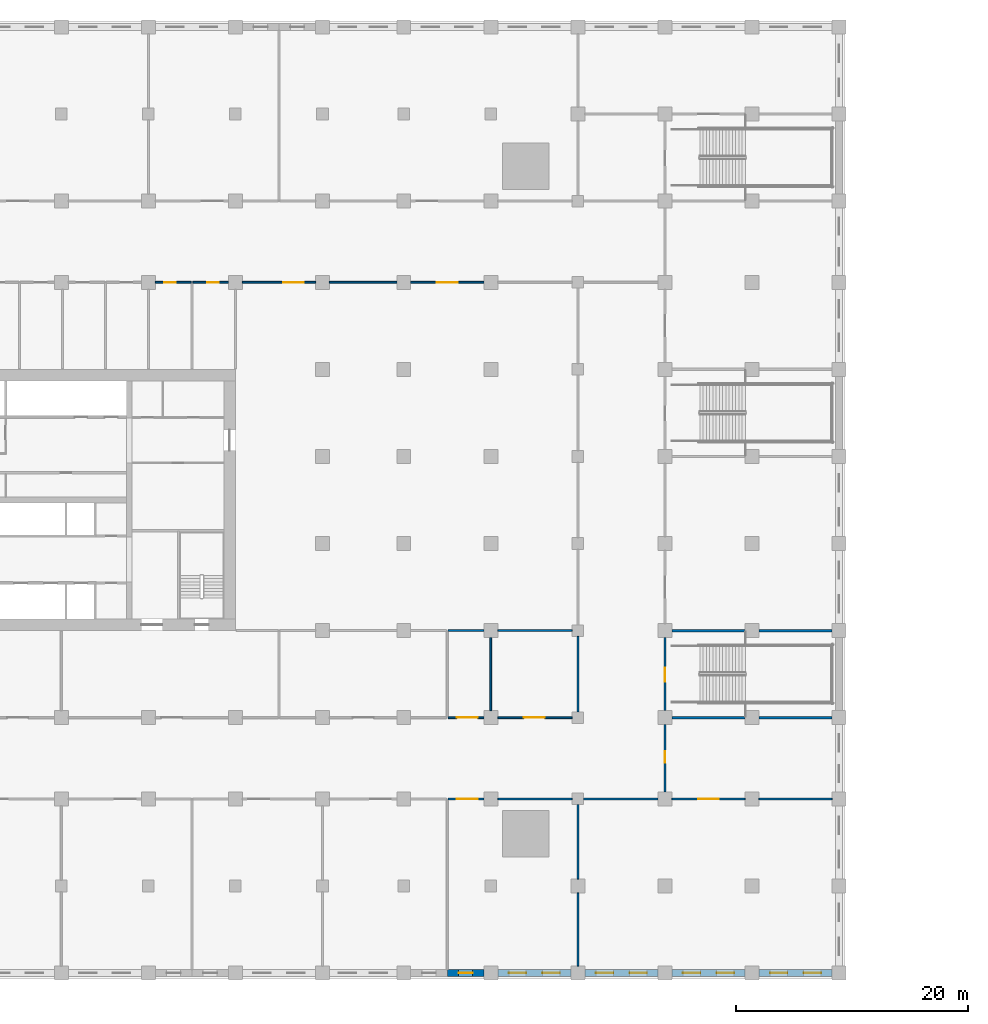
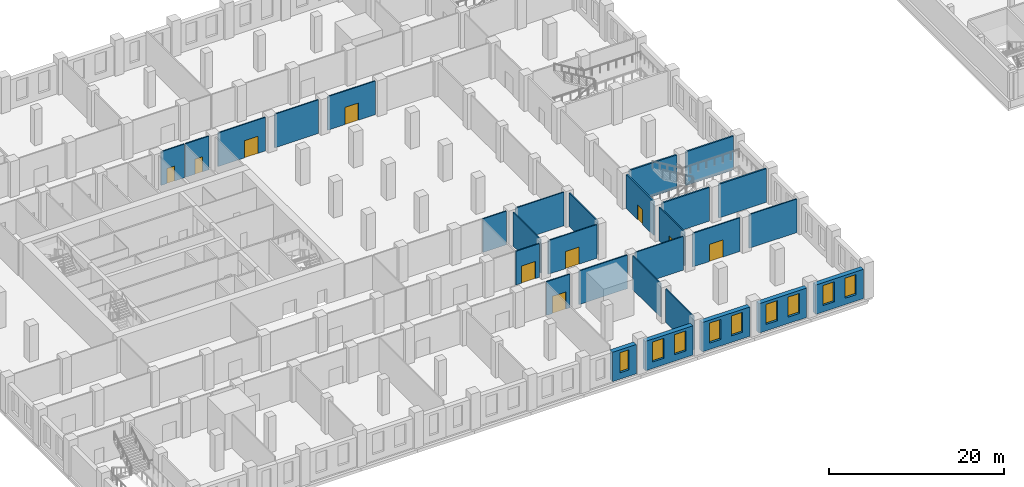
# One storey, part 7 of 32: 29 walls, 10 doors, 9 windows, 19 openings.
"""IFC4 building model written with IfcOpenShell, lengths in metres."""

from ifc_helpers import new_model, si_unit, direction, frame, frame_2d, origin, place, context, subcontext, project, spatial, rectangle, extrude, material, layer, layer_set, type_object, element, fill, save


model = new_model("IFC4")

# Units and contexts
model_context = context("Model", 3, precision=1e-05, world=origin(), true_north=direction((0.0, 1.0)))
body_context = subcontext(model_context, "Body", "Model", "MODEL_VIEW")
ifc_project = project(units=[si_unit("LENGTHUNIT", "METRE"), si_unit("AREAUNIT", "SQUARE_METRE"), si_unit("VOLUMEUNIT", "CUBIC_METRE"), si_unit("PLANEANGLEUNIT", "RADIAN"), si_unit("MASSUNIT", "GRAM", prefix="KILO")], contexts=[model_context])

# Site, building, storey
site_placement = place(None, origin())
site = spatial("IfcSite", under=ifc_project, at=site_placement, CompositionType="ELEMENT")
building_placement = place(site_placement, origin())
building = spatial("IfcBuilding", under=site, at=building_placement, Name="Tamorin Gate", CompositionType="ELEMENT")
storey_placement = place(building_placement, frame((0.0, 0.0, 13.5)))
storey = spatial("IfcBuildingStorey", under=building, at=storey_placement, Name="L02", CompositionType="ELEMENT", Elevation=13.5)

# Wall, opening, door
ifc_material_1 = material(Name="Concrete masonry C20/25", Category="masonry")
ifc_layer_1 = layer(ifc_material_1, 0.14990234375)
ifc_layer_set_1 = layer_set([ifc_layer_1], Name="Partition 150")
wall_type_1 = type_object("IfcWallType", Name="Partition 150", PredefinedType="PARTITIONING", material=ifc_layer_set_1)
wall_1_placement = place(storey_placement, frame((78.324951171875, 45.5, 0.0), z_axis=(0.0, 0.0, 1.0), x_axis=(1.0, 0.0, 0.0)))
wall_1 = element("IfcWall", 1, at=wall_1_placement, inside=storey, type_object=wall_type_1, Name="Partition 150 L02", PredefinedType="PARTITIONING", context=body_context, shape_type="SweptSolid", body=[
    extrude(rectangle(XDim=3.074951171875, YDim=0.14990234375, at=frame_2d((1.53759765625, 0.0))), origin(), (0.0, 0.0, 1.0), 4.699951171875),
])
opening_1_placement = place(wall_1_placement, frame((0.75, 0.0, 0.0)))
opening_1 = element("IfcOpeningElement", 2, at=opening_1_placement, cuts=wall_1, Name="Opening DP3", PredefinedType="OPENING", context=body_context, shape_type="SweptSolid", body=[
    extrude(rectangle(XDim=1.800048828125, YDim=2.39990234375, at=frame_2d((0.89990234375, 1.199951171875))), frame((0.0, 0.0849609375, 0.0), z_axis=(0.0, -1.0, 0.0), x_axis=(1.0, 0.0, 0.0)), (0.0, 0.0, 1.0), 0.169921875),
])
ifc_material_2 = material(Name="Steel and glass", Category="steel")
door_type_1 = type_object("IfcDoorType", Name="Door pair 1800", OperationType="DOUBLE_DOOR_SINGLE_SWING", PredefinedType="DOOR", material=ifc_material_2)
door_1_placement = place(opening_1_placement, origin())
door_1 = element("IfcDoor", 3, at=door_1_placement, inside=storey, type_object=door_type_1, Name="Door pair 1800 L02", OperationType="SINGLE_SWING_LEFT", OverallHeight=2.39990234375, OverallWidth=1.800048828125, PredefinedType="DOOR", context=body_context, shape_type="SweptSolid", body=[
    extrude(rectangle(XDim=1.800048828125, YDim=2.39990234375, at=frame_2d((0.89990234375, 1.199951171875))), frame((0.0, 0.02490234375, 0.0), z_axis=(0.0, -1.0, 0.0), x_axis=(1.0, 0.0, 0.0)), (0.0, 0.0, 1.0), 0.050048828125),
])
fill(opening_1, door_1)

# Walls
for number, where, z_axis, x_axis, name in (
    (4, (82.60009765625, 45.5, 0.0), (0.0, 0.0, 1.0), (1.0, 0.0, 0.0), "Partition 150 L02"),
    (5, (90.0, 45.5, 0.0), (0.0, 0.0, 1.0), (1.0, 0.0, 0.0), "Partition 150 L02"),
):
    element("IfcWall", number, at=place(storey_placement, frame(where, z_axis=z_axis, x_axis=x_axis)), inside=storey, type_object=wall_type_1, Name=name, PredefinedType="PARTITIONING", context=body_context, shape_type="SweptSolid", body=[
        extrude(rectangle(XDim=6.39990234375, YDim=0.14990234375, at=frame_2d((3.199951171875, 0.0))), origin(), (0.0, 0.0, 1.0), 4.699951171875),
    ])

# Wall, opening, door
wall_2_placement = place(storey_placement, frame((97.60009765625, 45.5, 0.0), z_axis=(0.0, 0.0, 1.0), x_axis=(1.0, 0.0, 0.0)))
wall_2 = element("IfcWall", 6, at=wall_2_placement, inside=storey, type_object=wall_type_1, Name="Partition 150 L02", PredefinedType="PARTITIONING", context=body_context, shape_type="SweptSolid", body=[
    extrude(rectangle(XDim=6.2998046875, YDim=0.14990234375, at=frame_2d((3.14990234375, 0.0))), origin(), (0.0, 0.0, 1.0), 4.699951171875),
])
opening_2_placement = place(wall_2_placement, frame((2.25, 0.0, 0.0)))
opening_2 = element("IfcOpeningElement", 7, at=opening_2_placement, cuts=wall_2, Name="Opening DP3", PredefinedType="OPENING", context=body_context, shape_type="SweptSolid", body=[
    extrude(rectangle(XDim=1.800048828125, YDim=2.39990234375, at=frame_2d((0.89990234375, 1.199951171875))), frame((0.0, 0.0849609375, 0.0), z_axis=(0.0, -1.0, 0.0), x_axis=(1.0, 0.0, 0.0)), (0.0, 0.0, 1.0), 0.169921875),
])
door_2_placement = place(opening_2_placement, origin())
door_2 = element("IfcDoor", 8, at=door_2_placement, inside=storey, type_object=door_type_1, Name="Door pair 1800 L02", OperationType="SINGLE_SWING_LEFT", OverallHeight=2.39990234375, OverallWidth=1.800048828125, PredefinedType="DOOR", context=body_context, shape_type="SweptSolid", body=[
    extrude(rectangle(XDim=1.800048828125, YDim=2.39990234375, at=frame_2d((0.89990234375, 1.199951171875))), frame((0.0, 0.02490234375, 0.0), z_axis=(0.0, -1.0, 0.0), x_axis=(1.0, 0.0, 0.0)), (0.0, 0.0, 1.0), 0.050048828125),
])
fill(opening_2, door_2)

# Wall
wall_3_placement = place(storey_placement, frame((105.10009765625, 45.5, 0.0), z_axis=(0.0, 0.0, 1.0), x_axis=(1.0, 0.0, 0.0)))
element("IfcWall", 9, at=wall_3_placement, inside=storey, type_object=wall_type_1, Name="Partition 150 L02", PredefinedType="PARTITIONING", context=body_context, shape_type="SweptSolid", body=[
    extrude(rectangle(XDim=6.2998046875, YDim=0.14990234375, at=frame_2d((3.14990234375, 0.0))), origin(), (0.0, 0.0, 1.0), 4.699951171875),
])

# Wall, opening, door
wall_4_placement = place(storey_placement, frame((81.39990234375, 52.5, 0.0), z_axis=(0.0, 0.0, 1.0), x_axis=(-1.0, 0.0, 0.0)))
wall_4 = element("IfcWall", 10, at=wall_4_placement, inside=storey, type_object=wall_type_1, Name="Partition 150 L02", PredefinedType="PARTITIONING", context=body_context, shape_type="SweptSolid", body=[
    extrude(rectangle(XDim=3.074951171875, YDim=0.14990234375, at=frame_2d((1.53759765625, 0.0))), origin(), (0.0, 0.0, 1.0), 4.699951171875),
])
opening_3_placement = place(wall_4_placement, frame((0.52490234375, 0.0, 0.0)))
opening_3 = element("IfcOpeningElement", 11, at=opening_3_placement, cuts=wall_4, Name="Opening DP3", PredefinedType="OPENING", context=body_context, shape_type="SweptSolid", body=[
    extrude(rectangle(XDim=1.800048828125, YDim=2.39990234375, at=frame_2d((0.89990234375, 1.199951171875))), frame((0.0, 0.0849609375, 0.0), z_axis=(0.0, -1.0, 0.0), x_axis=(1.0, 0.0, 0.0)), (0.0, 0.0, 1.0), 0.169921875),
])
door_3_placement = place(opening_3_placement, origin())
door_3 = element("IfcDoor", 12, at=door_3_placement, inside=storey, type_object=door_type_1, Name="Door pair 1800 L02", OperationType="SINGLE_SWING_LEFT", OverallHeight=2.39990234375, OverallWidth=1.800048828125, PredefinedType="DOOR", context=body_context, shape_type="SweptSolid", body=[
    extrude(rectangle(XDim=1.800048828125, YDim=2.39990234375, at=frame_2d((0.89990234375, 1.199951171875))), frame((0.0, 0.02490234375, 0.0), z_axis=(0.0, -1.0, 0.0), x_axis=(1.0, 0.0, 0.0)), (0.0, 0.0, 1.0), 0.050048828125),
])
fill(opening_3, door_3)

wall_5_placement = place(storey_placement, frame((89.0, 52.5, 0.0), z_axis=(0.0, 0.0, 1.0), x_axis=(-1.0, 0.0, 0.0)))
wall_5 = element("IfcWall", 13, at=wall_5_placement, inside=storey, type_object=wall_type_1, Name="Partition 150 L02", PredefinedType="PARTITIONING", context=body_context, shape_type="SweptSolid", body=[
    extrude(rectangle(XDim=6.39990234375, YDim=0.14990234375, at=frame_2d((3.199951171875, 0.0))), origin(), (0.0, 0.0, 1.0), 4.699951171875),
])
opening_4_placement = place(wall_5_placement, frame((2.35009765625, 0.0, 0.0)))
opening_4 = element("IfcOpeningElement", 14, at=opening_4_placement, cuts=wall_5, Name="Opening DP3", PredefinedType="OPENING", context=body_context, shape_type="SweptSolid", body=[
    extrude(rectangle(XDim=1.800048828125, YDim=2.39990234375, at=frame_2d((0.89990234375, 1.199951171875))), frame((0.0, 0.0849609375, 0.0), z_axis=(0.0, -1.0, 0.0), x_axis=(1.0, 0.0, 0.0)), (0.0, 0.0, 1.0), 0.169921875),
])
door_4_placement = place(opening_4_placement, origin())
door_4 = element("IfcDoor", 15, at=door_4_placement, inside=storey, type_object=door_type_1, Name="Door pair 1800 L02", OperationType="SINGLE_SWING_LEFT", OverallHeight=2.39990234375, OverallWidth=1.800048828125, PredefinedType="DOOR", context=body_context, shape_type="SweptSolid", body=[
    extrude(rectangle(XDim=1.800048828125, YDim=2.39990234375, at=frame_2d((0.89990234375, 1.199951171875))), frame((0.0, 0.02490234375, 0.0), z_axis=(0.0, -1.0, 0.0), x_axis=(1.0, 0.0, 0.0)), (0.0, 0.0, 1.0), 0.050048828125),
])
fill(opening_4, door_4)

# Walls
wall_6_placement = place(storey_placement, frame((78.324951171875, 60.0, 0.0), z_axis=(0.0, 0.0, 1.0), x_axis=(1.0, 0.0, 0.0)))
element("IfcWall", 16, at=wall_6_placement, inside=storey, type_object=wall_type_1, Name="Partition 150 L02", PredefinedType="PARTITIONING", context=body_context, shape_type="SweptSolid", body=[
    extrude(rectangle(XDim=3.074951171875, YDim=0.14990234375, at=frame_2d((1.53759765625, 0.0))), origin(), (0.0, 0.0, 1.0), 4.699951171875),
])
wall_7_placement = place(storey_placement, frame((82.60009765625, 60.0, 0.0), z_axis=(0.0, 0.0, 1.0), x_axis=(1.0, 0.0, 0.0)))
element("IfcWall", 17, at=wall_7_placement, inside=storey, type_object=wall_type_1, Name="Partition 150 L02", PredefinedType="PARTITIONING", context=body_context, shape_type="SweptSolid", body=[
    extrude(rectangle(XDim=6.39990234375, YDim=0.14990234375, at=frame_2d((3.199951171875, 0.0))), origin(), (0.0, 0.0, 1.0), 4.699951171875),
])

# Wall, opening, door
wall_8_placement = place(storey_placement, frame((53.10009765625, 90.0, 0.0), z_axis=(0.0, 0.0, 1.0), x_axis=(1.0, 0.0, 0.0)))
wall_8 = element("IfcWall", 18, at=wall_8_placement, inside=storey, type_object=wall_type_1, Name="Partition 150 L02", PredefinedType="PARTITIONING", context=body_context, shape_type="SweptSolid", body=[
    extrude(rectangle(XDim=3.074951171875, YDim=0.14990234375, at=frame_2d((1.53759765625, 0.0))), origin(), (0.0, 0.0, 1.0), 4.699951171875),
])
opening_5_placement = place(wall_8_placement, frame((0.75, 0.0, 0.0)))
opening_5 = element("IfcOpeningElement", 19, at=opening_5_placement, cuts=wall_8, Name="Opening DP2", PredefinedType="OPENING", context=body_context, shape_type="SweptSolid", body=[
    extrude(rectangle(XDim=1.0, YDim=2.10009765625, at=frame_2d((0.5, 1.050048828125))), frame((0.0, 0.0849609375, 0.0), z_axis=(0.0, -1.0, 0.0), x_axis=(1.0, 0.0, 0.0)), (0.0, 0.0, 1.0), 0.169921875),
])
ifc_material_3 = material(Name="Painted steel", Category="steel")
door_type_2 = type_object("IfcDoorType", Name="Door single 1000", OperationType="SINGLE_SWING_LEFT", PredefinedType="DOOR", material=ifc_material_3)
door_5_placement = place(opening_5_placement, origin())
door_5 = element("IfcDoor", 20, at=door_5_placement, inside=storey, type_object=door_type_2, Name="Door single 1000 L02", OperationType="SINGLE_SWING_LEFT", OverallHeight=2.10009765625, OverallWidth=1.0, PredefinedType="DOOR", context=body_context, shape_type="SweptSolid", body=[
    extrude(rectangle(XDim=1.0, YDim=2.10009765625, at=frame_2d((0.5, 1.050048828125))), frame((0.0, 0.02490234375, 0.0), z_axis=(0.0, -1.0, 0.0), x_axis=(1.0, 0.0, 0.0)), (0.0, 0.0, 1.0), 0.050048828125),
])
fill(opening_5, door_5)

wall_9_placement = place(storey_placement, frame((56.324951171875, 90.0, 0.0), z_axis=(0.0, 0.0, 1.0), x_axis=(1.0, 0.0, 0.0)))
wall_9 = element("IfcWall", 21, at=wall_9_placement, inside=storey, type_object=wall_type_1, Name="Partition 150 L02", PredefinedType="PARTITIONING", context=body_context, shape_type="SweptSolid", body=[
    extrude(rectangle(XDim=3.074951171875, YDim=0.14990234375, at=frame_2d((1.53759765625, 0.0))), origin(), (0.0, 0.0, 1.0), 4.699951171875),
])
opening_6_placement = place(wall_9_placement, frame((1.25, 0.0, 0.0)))
opening_6 = element("IfcOpeningElement", 22, at=opening_6_placement, cuts=wall_9, Name="Opening DP2", PredefinedType="OPENING", context=body_context, shape_type="SweptSolid", body=[
    extrude(rectangle(XDim=1.0, YDim=2.10009765625, at=frame_2d((0.5, 1.050048828125))), frame((0.0, 0.0849609375, 0.0), z_axis=(0.0, -1.0, 0.0), x_axis=(1.0, 0.0, 0.0)), (0.0, 0.0, 1.0), 0.169921875),
])
door_6_placement = place(opening_6_placement, origin())
door_6 = element("IfcDoor", 23, at=door_6_placement, inside=storey, type_object=door_type_2, Name="Door single 1000 L02", OperationType="SINGLE_SWING_LEFT", OverallHeight=2.10009765625, OverallWidth=1.0, PredefinedType="DOOR", context=body_context, shape_type="SweptSolid", body=[
    extrude(rectangle(XDim=1.0, YDim=2.10009765625, at=frame_2d((0.5, 1.050048828125))), frame((0.0, 0.02490234375, 0.0), z_axis=(0.0, -1.0, 0.0), x_axis=(1.0, 0.0, 0.0)), (0.0, 0.0, 1.0), 0.050048828125),
])
fill(opening_6, door_6)

wall_10_placement = place(storey_placement, frame((60.60009765625, 90.0, 0.0), z_axis=(0.0, 0.0, 1.0), x_axis=(1.0, 0.0, 0.0)))
wall_10 = element("IfcWall", 24, at=wall_10_placement, inside=storey, type_object=wall_type_1, Name="Partition 150 L02", PredefinedType="PARTITIONING", context=body_context, shape_type="SweptSolid", body=[
    extrude(rectangle(XDim=6.2998046875, YDim=0.14990234375, at=frame_2d((3.14990234375, 0.0))), origin(), (0.0, 0.0, 1.0), 4.699951171875),
])
opening_7_placement = place(wall_10_placement, frame((3.5, 0.0, 0.0)))
opening_7 = element("IfcOpeningElement", 25, at=opening_7_placement, cuts=wall_10, Name="Opening DP3", PredefinedType="OPENING", context=body_context, shape_type="SweptSolid", body=[
    extrude(rectangle(XDim=1.800048828125, YDim=2.39990234375, at=frame_2d((0.89990234375, 1.199951171875))), frame((0.0, 0.0849609375, 0.0), z_axis=(0.0, -1.0, 0.0), x_axis=(1.0, 0.0, 0.0)), (0.0, 0.0, 1.0), 0.169921875),
])
door_7_placement = place(opening_7_placement, origin())
door_7 = element("IfcDoor", 26, at=door_7_placement, inside=storey, type_object=door_type_1, Name="Door pair 1800 L02", OperationType="SINGLE_SWING_LEFT", OverallHeight=2.39990234375, OverallWidth=1.800048828125, PredefinedType="DOOR", context=body_context, shape_type="SweptSolid", body=[
    extrude(rectangle(XDim=1.800048828125, YDim=2.39990234375, at=frame_2d((0.89990234375, 1.199951171875))), frame((0.0, 0.02490234375, 0.0), z_axis=(0.0, -1.0, 0.0), x_axis=(1.0, 0.0, 0.0)), (0.0, 0.0, 1.0), 0.050048828125),
])
fill(opening_7, door_7)

# Wall
wall_11_placement = place(storey_placement, frame((68.10009765625, 90.0, 0.0), z_axis=(0.0, 0.0, 1.0), x_axis=(1.0, 0.0, 0.0)))
element("IfcWall", 27, at=wall_11_placement, inside=storey, type_object=wall_type_1, Name="Partition 150 L02", PredefinedType="PARTITIONING", context=body_context, shape_type="SweptSolid", body=[
    extrude(rectangle(XDim=5.7998046875, YDim=0.14990234375, at=frame_2d((2.89990234375, 0.0))), origin(), (0.0, 0.0, 1.0), 4.699951171875),
])

# Wall, opening, door
wall_12_placement = place(storey_placement, frame((75.10009765625, 90.0, 0.0), z_axis=(0.0, 0.0, 1.0), x_axis=(1.0, 0.0, 0.0)))
wall_12 = element("IfcWall", 28, at=wall_12_placement, inside=storey, type_object=wall_type_1, Name="Partition 150 L02", PredefinedType="PARTITIONING", context=body_context, shape_type="SweptSolid", body=[
    extrude(rectangle(XDim=6.2998046875, YDim=0.14990234375, at=frame_2d((3.14990234375, 0.0))), origin(), (0.0, 0.0, 1.0), 4.699951171875),
])
opening_8_placement = place(wall_12_placement, frame((2.25, 0.0, 0.0)))
opening_8 = element("IfcOpeningElement", 29, at=opening_8_placement, cuts=wall_12, Name="Opening DP3", PredefinedType="OPENING", context=body_context, shape_type="SweptSolid", body=[
    extrude(rectangle(XDim=1.800048828125, YDim=2.39990234375, at=frame_2d((0.89990234375, 1.199951171875))), frame((0.0, 0.0849609375, 0.0), z_axis=(0.0, -1.0, 0.0), x_axis=(1.0, 0.0, 0.0)), (0.0, 0.0, 1.0), 0.169921875),
])
door_8_placement = place(opening_8_placement, origin())
door_8 = element("IfcDoor", 30, at=door_8_placement, inside=storey, type_object=door_type_1, Name="Door pair 1800 L02", OperationType="SINGLE_SWING_LEFT", OverallHeight=2.39990234375, OverallWidth=1.800048828125, PredefinedType="DOOR", context=body_context, shape_type="SweptSolid", body=[
    extrude(rectangle(XDim=1.800048828125, YDim=2.39990234375, at=frame_2d((0.89990234375, 1.199951171875))), frame((0.0, 0.02490234375, 0.0), z_axis=(0.0, -1.0, 0.0), x_axis=(1.0, 0.0, 0.0)), (0.0, 0.0, 1.0), 0.050048828125),
])
fill(opening_8, door_8)

wall_13_placement = place(storey_placement, frame((97.0, 46.10009765625, 0.0), z_axis=(0.0, 0.0, 1.0), x_axis=(0.0, 1.0, 0.0)))
wall_13 = element("IfcWall", 31, at=wall_13_placement, inside=storey, type_object=wall_type_1, Name="Partition 150 L02", PredefinedType="PARTITIONING", context=body_context, shape_type="SweptSolid", body=[
    extrude(rectangle(XDim=5.7998046875, YDim=0.14990234375, at=frame_2d((2.89990234375, 0.0))), origin(), (0.0, 0.0, 1.0), 4.699951171875),
])
opening_9_placement = place(wall_13_placement, frame((2.5, 0.0, 0.0)))
opening_9 = element("IfcOpeningElement", 32, at=opening_9_placement, cuts=wall_13, Name="Opening DP2", PredefinedType="OPENING", context=body_context, shape_type="SweptSolid", body=[
    extrude(rectangle(XDim=1.0, YDim=2.10009765625, at=frame_2d((0.5, 1.050048828125))), frame((0.0, 0.0849609375, 0.0), z_axis=(0.0, -1.0, 0.0), x_axis=(1.0, 0.0, 0.0)), (0.0, 0.0, 1.0), 0.169921875),
])
door_9_placement = place(opening_9_placement, origin())
door_9 = element("IfcDoor", 33, at=door_9_placement, inside=storey, type_object=door_type_2, Name="Door single 1000 L02", OperationType="SINGLE_SWING_LEFT", OverallHeight=2.10009765625, OverallWidth=1.0, PredefinedType="DOOR", context=body_context, shape_type="SweptSolid", body=[
    extrude(rectangle(XDim=1.0, YDim=2.10009765625, at=frame_2d((0.5, 1.050048828125))), frame((0.0, 0.02490234375, 0.0), z_axis=(0.0, -1.0, 0.0), x_axis=(1.0, 0.0, 0.0)), (0.0, 0.0, 1.0), 0.050048828125),
])
fill(opening_9, door_9)

# Walls
wall_14_placement = place(storey_placement, frame((89.5, 31.10009765625, 0.0), z_axis=(0.0, 0.0, 1.0), x_axis=(0.0, 1.0, 0.0)))
element("IfcWall", 34, at=wall_14_placement, inside=storey, type_object=wall_type_1, Name="Partition 150 L02", PredefinedType="PARTITIONING", context=body_context, shape_type="SweptSolid", body=[
    extrude(rectangle(XDim=6.2998046875, YDim=0.14990234375, at=frame_2d((3.14990234375, 0.0))), origin(), (0.0, 0.0, 1.0), 4.699951171875),
])
wall_15_placement = place(storey_placement, frame((89.5, 38.60009765625, 0.0), z_axis=(0.0, 0.0, 1.0), x_axis=(0.0, 1.0, 0.0)))
element("IfcWall", 35, at=wall_15_placement, inside=storey, type_object=wall_type_1, Name="Partition 150 L02", PredefinedType="PARTITIONING", context=body_context, shape_type="SweptSolid", body=[
    extrude(rectangle(XDim=6.39990234375, YDim=0.14990234375, at=frame_2d((3.199951171875, 0.0))), origin(), (0.0, 0.0, 1.0), 4.699951171875),
])
wall_16_placement = place(storey_placement, frame((89.5, 53.0, 0.0), z_axis=(0.0, 0.0, 1.0), x_axis=(0.0, 1.0, 0.0)))
element("IfcWall", 36, at=wall_16_placement, inside=storey, type_object=wall_type_1, Name="Partition 150 L02", PredefinedType="PARTITIONING", context=body_context, shape_type="SweptSolid", body=[
    extrude(rectangle(XDim=6.5, YDim=0.14990234375, at=frame_2d((3.25, 0.0))), origin(), (0.0, 0.0, 1.0), 4.699951171875),
])
wall_17_placement = place(storey_placement, frame((82.0, 53.10009765625, 0.0), z_axis=(0.0, 0.0, 1.0), x_axis=(0.0, 1.0, 0.0)))
element("IfcWall", 37, at=wall_17_placement, inside=storey, type_object=wall_type_1, Name="Partition 150 L02", PredefinedType="PARTITIONING", context=body_context, shape_type="SweptSolid", body=[
    extrude(rectangle(XDim=6.2998046875, YDim=0.14990234375, at=frame_2d((3.14990234375, 0.0))), origin(), (0.0, 0.0, 1.0), 4.699951171875),
])

# Wall, opening, window
ifc_material_4 = material(Name="Precast concrete C40/50", Category="concrete")
ifc_layer_2 = layer(ifc_material_4, 0.60009765625)
ifc_layer_set_2 = layer_set([ifc_layer_2], Name="Precast concrete C40/50")
wall_type_2 = type_object("IfcWallType", Name="Precast plinth wall 600", PredefinedType="PARTITIONING", material=ifc_layer_set_2)
wall_18_placement = place(storey_placement, frame((78.25, 30.5, 0.0), z_axis=(0.0, 0.0, 1.0), x_axis=(1.0, 0.0, 0.0)))
wall_18 = element("IfcWall", 38, at=wall_18_placement, inside=storey, type_object=wall_type_2, Name="Precast plinth wall 600 L02", PredefinedType="PARTITIONING", context=body_context, shape_type="SweptSolid", body=[
    extrude(rectangle(XDim=3.14990234375, YDim=0.60009765625, at=frame_2d((1.574951171875, 0.0))), origin(), (0.0, 0.0, 1.0), 4.10009765625),
])
opening_10_placement = place(wall_18_placement, frame((0.97509765625, 0.0, 0.89990234375)))
opening_10 = element("IfcOpeningElement", 39, at=opening_10_placement, cuts=wall_18, Name="Opening PWN4", PredefinedType="OPENING", context=body_context, shape_type="SweptSolid", body=[
    extrude(rectangle(XDim=1.199951171875, YDim=2.800048828125, at=frame_2d((0.60009765625, 1.39990234375))), frame((0.0, 0.31005859375, 0.0), z_axis=(0.0, -1.0, 0.0), x_axis=(1.0, 0.0, 0.0)), (0.0, 0.0, 1.0), 0.6201171875),
])
ifc_material_5 = material(Name="Aluminium and glass", Category="aluminium")
window_type_1 = type_object("IfcWindowType", Name="Plinth window 1200x2800", PartitioningType="DOUBLE_PANEL_VERTICAL", PredefinedType="WINDOW", material=ifc_material_5)
window_1_placement = place(opening_10_placement, origin())
window_1 = element("IfcWindow", 40, at=window_1_placement, inside=storey, type_object=window_type_1, Name="Plinth window 1200x2800", OverallHeight=2.800048828125, OverallWidth=1.199951171875, PartitioningType="SINGLE_PANEL", PredefinedType="WINDOW", context=body_context, shape_type="SweptSolid", body=[
    extrude(rectangle(XDim=1.199951171875, YDim=2.800048828125, at=frame_2d((0.60009765625, 1.39990234375))), frame((0.0, 0.030029296875, 0.0), z_axis=(0.0, -1.0, 0.0), x_axis=(1.0, 0.0, 0.0)), (0.0, 0.0, 1.0), 0.06005859375),
])
fill(opening_10, window_1)

# Wall, openings, windows
wall_19_placement = place(storey_placement, frame((82.60009765625, 30.5, 0.0), z_axis=(0.0, 0.0, 1.0), x_axis=(1.0, 0.0, 0.0)))
wall_19 = element("IfcWall", 41, at=wall_19_placement, inside=storey, type_object=wall_type_2, Name="Precast plinth wall 600 L02", PredefinedType="PARTITIONING", context=body_context, shape_type="SweptSolid", body=[
    extrude(rectangle(XDim=6.2998046875, YDim=0.60009765625, at=frame_2d((3.14990234375, 0.0))), origin(), (0.0, 0.0, 1.0), 4.10009765625),
])
opening_11_placement = place(wall_19_placement, frame((0.950927734375, 0.0, 0.89990234375)))
opening_11 = element("IfcOpeningElement", 42, at=opening_11_placement, cuts=wall_19, Name="Opening PWN5", PredefinedType="OPENING", context=body_context, shape_type="SweptSolid", body=[
    extrude(rectangle(XDim=1.5, YDim=2.800048828125, at=frame_2d((0.75, 1.39990234375))), frame((0.0, 0.31005859375, 0.0), z_axis=(0.0, -1.0, 0.0), x_axis=(1.0, 0.0, 0.0)), (0.0, 0.0, 1.0), 0.6201171875),
])
opening_12_placement = place(wall_19_placement, frame((3.84912109375, 0.0, 0.89990234375)))
opening_12 = element("IfcOpeningElement", 43, at=opening_12_placement, cuts=wall_19, Name="Opening PWN5", PredefinedType="OPENING", context=body_context, shape_type="SweptSolid", body=[
    extrude(rectangle(XDim=1.5, YDim=2.800048828125, at=frame_2d((0.75, 1.39990234375))), frame((0.0, 0.31005859375, 0.0), z_axis=(0.0, -1.0, 0.0), x_axis=(1.0, 0.0, 0.0)), (0.0, 0.0, 1.0), 0.6201171875),
])
window_type_2 = type_object("IfcWindowType", Name="Plinth window 1500x2800", PartitioningType="DOUBLE_PANEL_VERTICAL", PredefinedType="WINDOW", material=ifc_material_5)
window_2_placement = place(opening_11_placement, origin())
window_2 = element("IfcWindow", 44, at=window_2_placement, inside=storey, type_object=window_type_2, Name="Plinth window 1500x2800", OverallHeight=2.800048828125, OverallWidth=1.5, PartitioningType="SINGLE_PANEL", PredefinedType="WINDOW", context=body_context, shape_type="SweptSolid", body=[
    extrude(rectangle(XDim=1.5, YDim=2.800048828125, at=frame_2d((0.75, 1.39990234375))), frame((0.0, 0.030029296875, 0.0), z_axis=(0.0, -1.0, 0.0), x_axis=(1.0, 0.0, 0.0)), (0.0, 0.0, 1.0), 0.06005859375),
])
fill(opening_11, window_2)
window_3_placement = place(opening_12_placement, origin())
window_3 = element("IfcWindow", 45, at=window_3_placement, inside=storey, type_object=window_type_2, Name="Plinth window 1500x2800", OverallHeight=2.800048828125, OverallWidth=1.5, PartitioningType="SINGLE_PANEL", PredefinedType="WINDOW", context=body_context, shape_type="SweptSolid", body=[
    extrude(rectangle(XDim=1.5, YDim=2.800048828125, at=frame_2d((0.75, 1.39990234375))), frame((0.0, 0.030029296875, 0.0), z_axis=(0.0, -1.0, 0.0), x_axis=(1.0, 0.0, 0.0)), (0.0, 0.0, 1.0), 0.06005859375),
])
fill(opening_12, window_3)

wall_20_placement = place(storey_placement, frame((90.10009765625, 30.5, 0.0), z_axis=(0.0, 0.0, 1.0), x_axis=(1.0, 0.0, 0.0)))
wall_20 = element("IfcWall", 46, at=wall_20_placement, inside=storey, type_object=wall_type_2, Name="Precast plinth wall 600 L02", PredefinedType="PARTITIONING", context=body_context, shape_type="SweptSolid", body=[
    extrude(rectangle(XDim=6.2998046875, YDim=0.60009765625, at=frame_2d((3.14990234375, 0.0))), origin(), (0.0, 0.0, 1.0), 4.10009765625),
])
opening_13_placement = place(wall_20_placement, frame((0.950927734375, 0.0, 0.89990234375)))
opening_13 = element("IfcOpeningElement", 47, at=opening_13_placement, cuts=wall_20, Name="Opening PWN5", PredefinedType="OPENING", context=body_context, shape_type="SweptSolid", body=[
    extrude(rectangle(XDim=1.5, YDim=2.800048828125, at=frame_2d((0.75, 1.39990234375))), frame((0.0, 0.31005859375, 0.0), z_axis=(0.0, -1.0, 0.0), x_axis=(1.0, 0.0, 0.0)), (0.0, 0.0, 1.0), 0.6201171875),
])
opening_14_placement = place(wall_20_placement, frame((3.84912109375, 0.0, 0.89990234375)))
opening_14 = element("IfcOpeningElement", 48, at=opening_14_placement, cuts=wall_20, Name="Opening PWN5", PredefinedType="OPENING", context=body_context, shape_type="SweptSolid", body=[
    extrude(rectangle(XDim=1.5, YDim=2.800048828125, at=frame_2d((0.75, 1.39990234375))), frame((0.0, 0.31005859375, 0.0), z_axis=(0.0, -1.0, 0.0), x_axis=(1.0, 0.0, 0.0)), (0.0, 0.0, 1.0), 0.6201171875),
])
window_4_placement = place(opening_13_placement, origin())
window_4 = element("IfcWindow", 49, at=window_4_placement, inside=storey, type_object=window_type_2, Name="Plinth window 1500x2800", OverallHeight=2.800048828125, OverallWidth=1.5, PartitioningType="SINGLE_PANEL", PredefinedType="WINDOW", context=body_context, shape_type="SweptSolid", body=[
    extrude(rectangle(XDim=1.5, YDim=2.800048828125, at=frame_2d((0.75, 1.39990234375))), frame((0.0, 0.030029296875, 0.0), z_axis=(0.0, -1.0, 0.0), x_axis=(1.0, 0.0, 0.0)), (0.0, 0.0, 1.0), 0.06005859375),
])
fill(opening_13, window_4)
window_5_placement = place(opening_14_placement, origin())
window_5 = element("IfcWindow", 50, at=window_5_placement, inside=storey, type_object=window_type_2, Name="Plinth window 1500x2800", OverallHeight=2.800048828125, OverallWidth=1.5, PartitioningType="SINGLE_PANEL", PredefinedType="WINDOW", context=body_context, shape_type="SweptSolid", body=[
    extrude(rectangle(XDim=1.5, YDim=2.800048828125, at=frame_2d((0.75, 1.39990234375))), frame((0.0, 0.030029296875, 0.0), z_axis=(0.0, -1.0, 0.0), x_axis=(1.0, 0.0, 0.0)), (0.0, 0.0, 1.0), 0.06005859375),
])
fill(opening_14, window_5)

wall_21_placement = place(storey_placement, frame((97.60009765625, 30.5, 0.0), z_axis=(0.0, 0.0, 1.0), x_axis=(1.0, 0.0, 0.0)))
wall_21 = element("IfcWall", 51, at=wall_21_placement, inside=storey, type_object=wall_type_2, Name="Precast plinth wall 600 L02", PredefinedType="PARTITIONING", context=body_context, shape_type="SweptSolid", body=[
    extrude(rectangle(XDim=6.2998046875, YDim=0.60009765625, at=frame_2d((3.14990234375, 0.0))), origin(), (0.0, 0.0, 1.0), 4.10009765625),
])
opening_15_placement = place(wall_21_placement, frame((0.950927734375, 0.0, 0.89990234375)))
opening_15 = element("IfcOpeningElement", 52, at=opening_15_placement, cuts=wall_21, Name="Opening PWN5", PredefinedType="OPENING", context=body_context, shape_type="SweptSolid", body=[
    extrude(rectangle(XDim=1.5, YDim=2.800048828125, at=frame_2d((0.75, 1.39990234375))), frame((0.0, 0.31005859375, 0.0), z_axis=(0.0, -1.0, 0.0), x_axis=(1.0, 0.0, 0.0)), (0.0, 0.0, 1.0), 0.6201171875),
])
opening_16_placement = place(wall_21_placement, frame((3.84912109375, 0.0, 0.89990234375)))
opening_16 = element("IfcOpeningElement", 53, at=opening_16_placement, cuts=wall_21, Name="Opening PWN5", PredefinedType="OPENING", context=body_context, shape_type="SweptSolid", body=[
    extrude(rectangle(XDim=1.5, YDim=2.800048828125, at=frame_2d((0.75, 1.39990234375))), frame((0.0, 0.31005859375, 0.0), z_axis=(0.0, -1.0, 0.0), x_axis=(1.0, 0.0, 0.0)), (0.0, 0.0, 1.0), 0.6201171875),
])
window_6_placement = place(opening_15_placement, origin())
window_6 = element("IfcWindow", 54, at=window_6_placement, inside=storey, type_object=window_type_2, Name="Plinth window 1500x2800", OverallHeight=2.800048828125, OverallWidth=1.5, PartitioningType="SINGLE_PANEL", PredefinedType="WINDOW", context=body_context, shape_type="SweptSolid", body=[
    extrude(rectangle(XDim=1.5, YDim=2.800048828125, at=frame_2d((0.75, 1.39990234375))), frame((0.0, 0.030029296875, 0.0), z_axis=(0.0, -1.0, 0.0), x_axis=(1.0, 0.0, 0.0)), (0.0, 0.0, 1.0), 0.06005859375),
])
fill(opening_15, window_6)
window_7_placement = place(opening_16_placement, origin())
window_7 = element("IfcWindow", 55, at=window_7_placement, inside=storey, type_object=window_type_2, Name="Plinth window 1500x2800", OverallHeight=2.800048828125, OverallWidth=1.5, PartitioningType="SINGLE_PANEL", PredefinedType="WINDOW", context=body_context, shape_type="SweptSolid", body=[
    extrude(rectangle(XDim=1.5, YDim=2.800048828125, at=frame_2d((0.75, 1.39990234375))), frame((0.0, 0.030029296875, 0.0), z_axis=(0.0, -1.0, 0.0), x_axis=(1.0, 0.0, 0.0)), (0.0, 0.0, 1.0), 0.06005859375),
])
fill(opening_16, window_7)

wall_22_placement = place(storey_placement, frame((105.10009765625, 30.5, 0.0), z_axis=(0.0, 0.0, 1.0), x_axis=(1.0, 0.0, 0.0)))
wall_22 = element("IfcWall", 56, at=wall_22_placement, inside=storey, type_object=wall_type_2, Name="Precast plinth wall 600 L02", PredefinedType="PARTITIONING", context=body_context, shape_type="SweptSolid", body=[
    extrude(rectangle(XDim=6.2998046875, YDim=0.60009765625, at=frame_2d((3.14990234375, 0.0))), origin(), (0.0, 0.0, 1.0), 4.10009765625),
])
opening_17_placement = place(wall_22_placement, frame((0.950927734375, 0.0, 0.89990234375)))
opening_17 = element("IfcOpeningElement", 57, at=opening_17_placement, cuts=wall_22, Name="Opening PWN5", PredefinedType="OPENING", context=body_context, shape_type="SweptSolid", body=[
    extrude(rectangle(XDim=1.5, YDim=2.800048828125, at=frame_2d((0.75, 1.39990234375))), frame((0.0, 0.31005859375, 0.0), z_axis=(0.0, -1.0, 0.0), x_axis=(1.0, 0.0, 0.0)), (0.0, 0.0, 1.0), 0.6201171875),
])
opening_18_placement = place(wall_22_placement, frame((3.84912109375, 0.0, 0.89990234375)))
opening_18 = element("IfcOpeningElement", 58, at=opening_18_placement, cuts=wall_22, Name="Opening PWN5", PredefinedType="OPENING", context=body_context, shape_type="SweptSolid", body=[
    extrude(rectangle(XDim=1.5, YDim=2.800048828125, at=frame_2d((0.75, 1.39990234375))), frame((0.0, 0.31005859375, 0.0), z_axis=(0.0, -1.0, 0.0), x_axis=(1.0, 0.0, 0.0)), (0.0, 0.0, 1.0), 0.6201171875),
])
window_8_placement = place(opening_17_placement, origin())
window_8 = element("IfcWindow", 59, at=window_8_placement, inside=storey, type_object=window_type_2, Name="Plinth window 1500x2800", OverallHeight=2.800048828125, OverallWidth=1.5, PartitioningType="SINGLE_PANEL", PredefinedType="WINDOW", context=body_context, shape_type="SweptSolid", body=[
    extrude(rectangle(XDim=1.5, YDim=2.800048828125, at=frame_2d((0.75, 1.39990234375))), frame((0.0, 0.030029296875, 0.0), z_axis=(0.0, -1.0, 0.0), x_axis=(1.0, 0.0, 0.0)), (0.0, 0.0, 1.0), 0.06005859375),
])
fill(opening_17, window_8)
window_9_placement = place(opening_18_placement, origin())
window_9 = element("IfcWindow", 60, at=window_9_placement, inside=storey, type_object=window_type_2, Name="Plinth window 1500x2800", OverallHeight=2.800048828125, OverallWidth=1.5, PartitioningType="SINGLE_PANEL", PredefinedType="WINDOW", context=body_context, shape_type="SweptSolid", body=[
    extrude(rectangle(XDim=1.5, YDim=2.800048828125, at=frame_2d((0.75, 1.39990234375))), frame((0.0, 0.030029296875, 0.0), z_axis=(0.0, -1.0, 0.0), x_axis=(1.0, 0.0, 0.0)), (0.0, 0.0, 1.0), 0.06005859375),
])
fill(opening_18, window_9)

# Walls
ifc_material_6 = material(Name="Concrete C40/50", Category="concrete")
ifc_layer_3 = layer(ifc_material_6, 0.199951171875)
ifc_layer_set_3 = layer_set([ifc_layer_3], Name="Stair enclosure 200")
wall_type_3 = type_object("IfcWallType", Name="Stair enclosure 200", PredefinedType="SHEAR", material=ifc_layer_set_3)
for number, where, z_axis, x_axis, name in (
    (61, (97.60009765625, 52.5, 0.0), (0.0, 0.0, 1.0), (1.0, 0.0, 0.0), "Stair enclosure 200 L02"),
    (62, (105.10009765625, 52.5, 0.0), (0.0, 0.0, 1.0), (1.0, 0.0, 0.0), "Stair enclosure 200 L02"),
    (63, (97.60009765625, 60.0, 0.0), (0.0, 0.0, 1.0), (1.0, 0.0, 0.0), "Stair enclosure 200 L02"),
    (64, (105.10009765625, 60.0, 0.0), (0.0, 0.0, 1.0), (1.0, 0.0, 0.0), "Stair enclosure 200 L02"),
):
    element("IfcWall", number, at=place(storey_placement, frame(where, z_axis=z_axis, x_axis=x_axis)), inside=storey, type_object=wall_type_3, Name=name, PredefinedType="SHEAR", context=body_context, shape_type="SweptSolid", body=[
        extrude(rectangle(XDim=6.2998046875, YDim=0.199951171875, at=frame_2d((3.14990234375, 0.0))), origin(), (0.0, 0.0, 1.0), 4.699951171875),
    ])

# Wall, opening, door
wall_23_placement = place(storey_placement, frame((97.0, 59.39990234375, 0.0), z_axis=(0.0, 0.0, 1.0), x_axis=(0.0, -1.0, 0.0)))
wall_23 = element("IfcWall", 65, at=wall_23_placement, inside=storey, type_object=wall_type_3, Name="Stair enclosure 200 L02", PredefinedType="SHEAR", context=body_context, shape_type="SweptSolid", body=[
    extrude(rectangle(XDim=6.2998046875, YDim=0.199951171875, at=frame_2d((3.14990234375, 0.0))), origin(), (0.0, 0.0, 1.0), 4.699951171875),
])
opening_19_placement = place(wall_23_placement, frame((2.60009765625, 0.0, 0.0)))
opening_19 = element("IfcOpeningElement", 66, at=opening_19_placement, cuts=wall_23, Name="Opening DP5", PredefinedType="OPENING", context=body_context, shape_type="SweptSolid", body=[
    extrude(rectangle(XDim=1.199951171875, YDim=2.10009765625, at=frame_2d((0.60009765625, 1.050048828125))), frame((0.0, 0.10986328125, 0.0), z_axis=(0.0, -1.0, 0.0), x_axis=(1.0, 0.0, 0.0)), (0.0, 0.0, 1.0), 0.219970703125),
])
door_type_3 = type_object("IfcDoorType", Name="Stair door 1200", OperationType="SINGLE_SWING_LEFT", PredefinedType="DOOR", material=ifc_material_3)
door_10_placement = place(opening_19_placement, origin())
door_10 = element("IfcDoor", 67, at=door_10_placement, inside=storey, type_object=door_type_3, Name="Stair door 1200 L02", OperationType="SINGLE_SWING_LEFT", OverallHeight=2.10009765625, OverallWidth=1.199951171875, PredefinedType="DOOR", context=body_context, shape_type="SweptSolid", body=[
    extrude(rectangle(XDim=1.199951171875, YDim=2.10009765625, at=frame_2d((0.60009765625, 1.050048828125))), frame((0.0, 0.02490234375, 0.0), z_axis=(0.0, -1.0, 0.0), x_axis=(1.0, 0.0, 0.0)), (0.0, 0.0, 1.0), 0.050048828125),
])
fill(opening_19, door_10)

save(model, "model.ifc")
